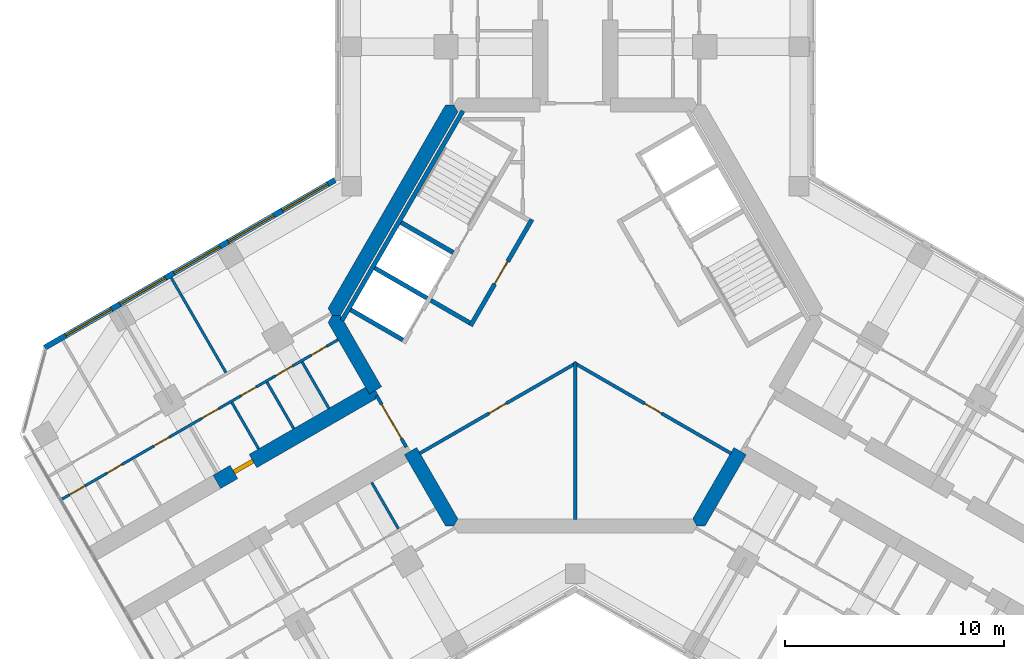
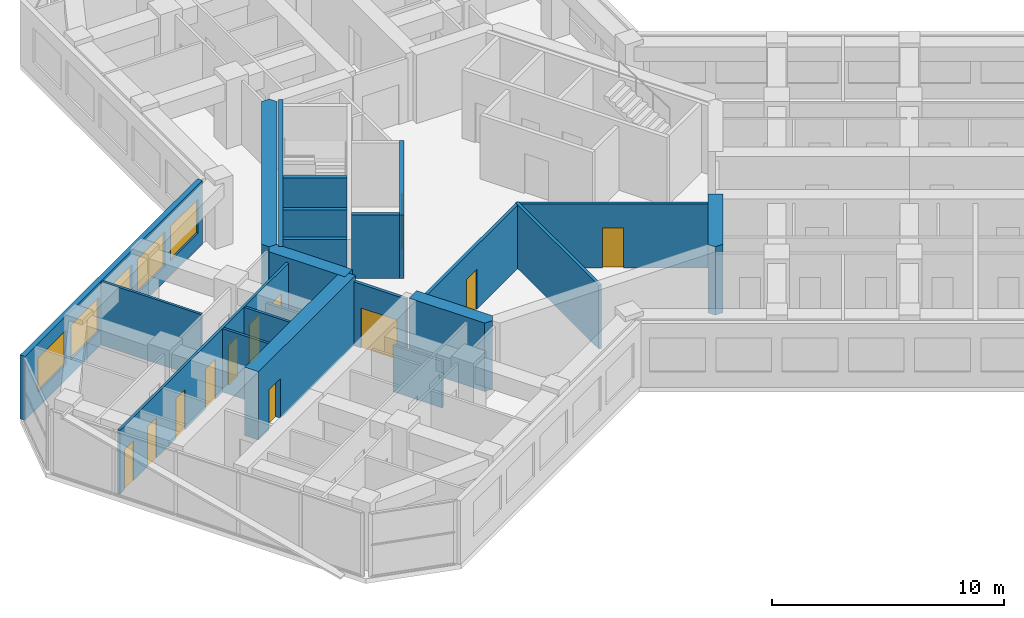
# One storey, part 9 of 16: 22 walls, 12 doors, 5 windows, 17 openings.
"""IFC4 building model written with IfcOpenShell, lengths in metres."""

from ifc_helpers import new_model, si_unit, direction, frame, frame_2d, origin, place, context, subcontext, project, spatial, polyline, rectangle, outline, extrude, material, layer, layer_set, type_object, element, fill, save


model = new_model("IFC4")

# Units and contexts
model_context = context("Model", 3, precision=1e-05, world=origin(), true_north=direction((0.0, 1.0)))
body_context = subcontext(model_context, "Body", "Model", "MODEL_VIEW")
ifc_project = project(units=[si_unit("LENGTHUNIT", "METRE"), si_unit("AREAUNIT", "SQUARE_METRE"), si_unit("VOLUMEUNIT", "CUBIC_METRE"), si_unit("PLANEANGLEUNIT", "RADIAN"), si_unit("MASSUNIT", "GRAM", prefix="KILO")], contexts=[model_context])

# Site, building, storey
site_placement = place(None, origin())
site = spatial("IfcSite", under=ifc_project, at=site_placement, CompositionType="ELEMENT")
building_placement = place(site_placement, origin())
building = spatial("IfcBuilding", under=site, at=building_placement, Name="Kosmar Iwan School Tower", CompositionType="ELEMENT")
storey_placement = place(building_placement, frame((0.0, 0.0, 211.800048828125)))
storey = spatial("IfcBuildingStorey", under=building, at=storey_placement, Name="L53", CompositionType="ELEMENT", Elevation=211.800048828125)

# Wall
ifc_material_1 = material(Name="Gypsum board on steel studs, fire-rated", Category="steel")
ifc_layer_1 = layer(ifc_material_1, 0.14990234375)
ifc_layer_set_1 = layer_set([ifc_layer_1], Name="Core room partition 150")
wall_type_1 = type_object("IfcWallType", Name="Core room partition 150", PredefinedType="PARTITIONING", material=ifc_layer_set_1)
wall_1_placement = place(storey_placement, frame((0.0, -9.294921875, 0.0), z_axis=(0.0, 0.0, 1.0), x_axis=(0.0, 1.0, 0.0)))
element("IfcWall", 1, at=wall_1_placement, inside=storey, type_object=wall_type_1, Name="Core room partition L53-CW5", PredefinedType="PARTITIONING", context=body_context, shape_type="SweptSolid", body=[
    extrude(rectangle(XDim=7.176025390625, YDim=0.14990234375, at=frame_2d((3.587890625, 0.0))), origin(), (0.0, 0.0, 1.0), 3.349853515625),
])

# Wall, opening, door
wall_2_placement = place(storey_placement, frame((-0.06494140625, -2.156494140625, 0.0), z_axis=(0.0, 0.0, 1.0), x_axis=(0.866024394272, -0.500001748523, 0.0)))
wall_2 = element("IfcWall", 2, at=wall_2_placement, inside=storey, type_object=wall_type_1, Name="Core room partition L53-CW6", PredefinedType="PARTITIONING", context=body_context, shape_type="SweptSolid", body=[
    extrude(rectangle(XDim=8.27294921875, YDim=0.14990234375, at=frame_2d((4.136474609375, 0.0))), origin(), (0.0, 0.0, 1.0), 3.349853515625),
])
opening_1_placement = place(wall_2_placement, frame((3.721923828125, 0.0, 0.0)))
opening_1 = element("IfcOpeningElement", 3, at=opening_1_placement, cuts=wall_2, Name="Opening D14", PredefinedType="OPENING", context=body_context, shape_type="SweptSolid", body=[
    extrude(rectangle(XDim=0.89990234375, YDim=2.10009765625, at=frame_2d((0.449951171875, 1.050048828125))), frame((0.0, 0.0869140625, 0.0), z_axis=(0.0, -1.0, 0.0), x_axis=(1.0, 0.0, 0.0)), (0.0, 0.0, 1.0), 0.173828125),
])
ifc_material_2 = material(Name="Timber fire door in steel frame", Category="steel")
door_type_1 = type_object("IfcDoorType", Name="Core room door 900x2100", OperationType="SINGLE_SWING_LEFT", PredefinedType="DOOR", material=ifc_material_2)
door_1_placement = place(opening_1_placement, origin())
door_1 = element("IfcDoor", 4, at=door_1_placement, inside=storey, type_object=door_type_1, Name="Residents' laundry room door L53 3", OperationType="SINGLE_SWING_RIGHT", OverallHeight=2.10009765625, OverallWidth=0.89990234375, PredefinedType="DOOR", context=body_context, shape_type="SweptSolid", body=[
    extrude(rectangle(XDim=0.89990234375, YDim=2.10009765625, at=frame_2d((0.449951171875, 1.050048828125))), frame((0.0, 0.02490234375, 0.0), z_axis=(0.0, -1.0, 0.0), x_axis=(1.0, 0.0, 0.0)), (0.0, 0.0, 1.0), 0.050048828125),
])
fill(opening_1, door_1)

wall_3_placement = place(storey_placement, frame((-7.099609375, -6.29296875, 0.0), z_axis=(0.0, 0.0, 1.0), x_axis=(0.866024394272, 0.500001748523, 0.0)))
wall_3 = element("IfcWall", 5, at=wall_3_placement, inside=storey, type_object=wall_type_1, Name="Core room partition L53-CW7", PredefinedType="PARTITIONING", context=body_context, shape_type="SweptSolid", body=[
    extrude(rectangle(XDim=8.27294921875, YDim=0.14990234375, at=frame_2d((4.136474609375, 0.0))), origin(), (0.0, 0.0, 1.0), 3.349853515625),
])
opening_2_placement = place(wall_3_placement, frame((3.652099609375, 0.0, 0.0)))
opening_2 = element("IfcOpeningElement", 6, at=opening_2_placement, cuts=wall_3, Name="Opening D14", PredefinedType="OPENING", context=body_context, shape_type="SweptSolid", body=[
    extrude(rectangle(XDim=0.89990234375, YDim=2.10009765625, at=frame_2d((0.449951171875, 1.050048828125))), frame((0.0, 0.0869140625, 0.0), z_axis=(0.0, -1.0, 0.0), x_axis=(1.0, 0.0, 0.0)), (0.0, 0.0, 1.0), 0.173828125),
])
door_2_placement = place(opening_2_placement, origin())
door_2 = element("IfcDoor", 7, at=door_2_placement, inside=storey, type_object=door_type_1, Name="Parcel room door L53 4", OperationType="SINGLE_SWING_LEFT", OverallHeight=2.10009765625, OverallWidth=0.89990234375, PredefinedType="DOOR", context=body_context, shape_type="SweptSolid", body=[
    extrude(rectangle(XDim=0.89990234375, YDim=2.10009765625, at=frame_2d((0.449951171875, 1.050048828125))), frame((0.0, 0.02490234375, 0.0), z_axis=(0.0, -1.0, 0.0), x_axis=(1.0, 0.0, 0.0)), (0.0, 0.0, 1.0), 0.050048828125),
])
fill(opening_2, door_2)

# Walls
ifc_material_3 = material(Name="Concrete C50/60", Category="concrete")
ifc_layer_2 = layer(ifc_material_3, 0.64990234375)
ifc_layer_set_2 = layer_set([ifc_layer_2], Name="Core wall 650")
wall_type_2 = type_object("IfcWallType", Name="Core wall 650", PredefinedType="SHEAR", material=ifc_layer_set_2)
wall_4_placement = place(storey_placement, origin())
element("IfcWall", 8, at=wall_4_placement, inside=storey, type_object=wall_type_2, Name="Core wall F150", PredefinedType="SHEAR", context=body_context, shape_type="SweptSolid", body=[
    extrude(outline(polyline([(-11.085205078125, 0.0), (-10.7099609375, 0.0), (-5.35498046875, 9.27490234375), (-5.54248046875, 9.60009765625), (-5.917724609375, 9.60009765625), (-11.272705078125, 0.324951171875), (-11.085205078125, 0.0)])), origin(), (0.0, 0.0, 1.0), 3.599853515625),
])
wall_5_placement = place(storey_placement, origin())
element("IfcWall", 9, at=wall_5_placement, inside=storey, type_object=wall_type_2, Name="Core wall F210a", PredefinedType="SHEAR", context=body_context, shape_type="SweptSolid", body=[
    extrude(outline(polyline([(-9.395263671875, -3.576904296875), (-8.832275390625, -3.251953125), (-10.7099609375, 0.0), (-11.085205078125, 0.0), (-11.272705078125, -0.324951171875), (-9.395263671875, -3.576904296875)])), origin(), (0.0, 0.0, 1.0), 3.599853515625),
])
wall_6_placement = place(storey_placement, origin())
element("IfcWall", 10, at=wall_6_placement, inside=storey, type_object=wall_type_2, Name="Core wall F210b", PredefinedType="SHEAR", context=body_context, shape_type="SweptSolid", body=[
    extrude(outline(polyline([(-5.917724609375, -9.60009765625), (-5.54248046875, -9.60009765625), (-5.35498046875, -9.27490234375), (-7.232421875, -6.023193359375), (-7.79541015625, -6.34814453125), (-5.917724609375, -9.60009765625)])), origin(), (0.0, 0.0, 1.0), 3.599853515625),
])
wall_7_placement = place(storey_placement, origin())
element("IfcWall", 11, at=wall_7_placement, inside=storey, type_object=wall_type_2, Name="Core wall F330a", PredefinedType="SHEAR", context=body_context, shape_type="SweptSolid", body=[
    extrude(outline(polyline([(5.54248046875, -9.60009765625), (5.917724609375, -9.60009765625), (7.79541015625, -6.34814453125), (7.232421875, -6.023193359375), (5.35498046875, -9.27490234375), (5.54248046875, -9.60009765625)])), origin(), (0.0, 0.0, 1.0), 3.599853515625),
])

# Wall, opening, door
ifc_material_4 = material(Name="Concrete C50/60", Category="concrete")
ifc_layer_3 = layer(ifc_material_4, 0.699951171875)
ifc_layer_set_3 = layer_set([ifc_layer_3], Name="Corridor buttress wall 700")
wall_type_3 = type_object("IfcWallType", Name="Corridor buttress wall 700", PredefinedType="SHEAR", material=ifc_layer_set_3)
wall_8_placement = place(storey_placement, frame((-9.11376953125, -3.414306640625, 0.0), z_axis=(0.0, 0.0, 1.0), x_axis=(-0.866026859388, -0.499997478812, 0.0)))
wall_8 = element("IfcWall", 12, at=wall_8_placement, inside=storey, type_object=wall_type_3, Name="Corridor wall BR", PredefinedType="SHEAR", context=body_context, shape_type="SweptSolid", body=[
    extrude(rectangle(XDim=8.35009765625, YDim=0.699951171875, at=frame_2d((4.175048828125, 0.0))), origin(), (0.0, 0.0, 1.0), 3.599853515625),
])
opening_3_placement = place(wall_8_placement, frame((6.449951171875, 0.0, 0.0)))
opening_3 = element("IfcOpeningElement", 13, at=opening_3_placement, cuts=wall_8, Name="Opening D1", PredefinedType="OPENING", context=body_context, shape_type="SweptSolid", body=[
    extrude(rectangle(XDim=1.0, YDim=2.10009765625, at=frame_2d((0.5, 1.050048828125))), frame((0.0, 0.362060546875, 0.0), z_axis=(0.0, -1.0, 0.0), x_axis=(1.0, 0.0, 0.0)), (0.0, 0.0, 1.0), 0.723876953125),
])
ifc_material_5 = material(Name="Timber fire door in steel frame", Category="steel")
door_type_2 = type_object("IfcDoorType", Name="Flat entrance door 1000x2100", OperationType="SINGLE_SWING_LEFT", PredefinedType="DOOR", material=ifc_material_5)
door_3_placement = place(opening_3_placement, origin())
door_3 = element("IfcDoor", 14, at=door_3_placement, inside=storey, type_object=door_type_2, Name="Flat L53-BR1 entrance door", OperationType="SINGLE_SWING_RIGHT", OverallHeight=2.10009765625, OverallWidth=1.0, PredefinedType="DOOR", context=body_context, shape_type="SweptSolid", body=[
    extrude(rectangle(XDim=1.0, YDim=2.10009765625, at=frame_2d((0.5, 1.050048828125))), frame((0.0, 0.10009765625, 0.0), z_axis=(0.0, -1.0, 0.0), x_axis=(1.0, 0.0, 0.0)), (0.0, 0.0, 1.0), 0.199951171875),
])
fill(opening_3, door_3)

ifc_material_6 = material(Name="Steel framed glazed screen", Category="steel")
ifc_layer_4 = layer(ifc_material_6, 0.14990234375)
ifc_layer_set_4 = layer_set([ifc_layer_4], Name="Corridor screen wall 150")
wall_type_4 = type_object("IfcWallType", Name="Corridor screen wall 150", PredefinedType="PARTITIONING", material=ifc_layer_set_4)
wall_9_placement = place(storey_placement, frame((-9.0537109375, -3.66845703125, 0.0), z_axis=(0.0, 0.0, 1.0), x_axis=(0.499980770555, -0.866036505625, 0.0)))
wall_9 = element("IfcWall", 15, at=wall_9_placement, inside=storey, type_object=wall_type_4, Name="Corridor screen B L53", PredefinedType="PARTITIONING", context=body_context, shape_type="SweptSolid", body=[
    extrude(rectangle(XDim=2.69970703125, YDim=0.14990234375, at=frame_2d((1.349853515625, 0.0))), origin(), (0.0, 0.0, 1.0), 3.349853515625),
])
opening_4_placement = place(wall_9_placement, frame((0.449951171875, 0.0, 0.0)))
opening_4 = element("IfcOpeningElement", 16, at=opening_4_placement, cuts=wall_9, Name="Opening D9", PredefinedType="OPENING", context=body_context, shape_type="SweptSolid", body=[
    extrude(rectangle(XDim=1.800048828125, YDim=2.10009765625, at=frame_2d((0.89990234375, 1.050048828125))), frame((0.0, 0.0869140625, 0.0), z_axis=(0.0, -1.0, 0.0), x_axis=(1.0, 0.0, 0.0)), (0.0, 0.0, 1.0), 0.173828125),
])
ifc_material_7 = material(Name="Steel framed glazed smoke door", Category="steel")
door_type_3 = type_object("IfcDoorType", Name="Corridor smoke door pair 1800x2100", OperationType="DOUBLE_DOOR_DOUBLE_SWING", PredefinedType="DOOR", material=ifc_material_7)
door_4_placement = place(opening_4_placement, origin())
door_4 = element("IfcDoor", 17, at=door_4_placement, inside=storey, type_object=door_type_3, Name="Corridor doors B L53", OperationType="DOUBLE_DOOR_DOUBLE_SWING", OverallHeight=2.10009765625, OverallWidth=1.800048828125, PredefinedType="DOOR", context=body_context, shape_type="SweptSolid", body=[
    extrude(rectangle(XDim=1.800048828125, YDim=2.10009765625, at=frame_2d((0.89990234375, 1.050048828125))), frame((0.0, 0.02490234375, 0.0), z_axis=(0.0, -1.0, 0.0), x_axis=(1.0, 0.0, 0.0)), (0.0, 0.0, 1.0), 0.050048828125),
])
fill(opening_4, door_4)

# Wall
ifc_material_8 = material(Name="Gypsum board on steel studs", Category="steel")
ifc_layer_5 = layer(ifc_material_8, 0.1201171875)
ifc_layer_set_5 = layer_set([ifc_layer_5], Name="Dwelling partition 120")
wall_type_5 = type_object("IfcWallType", Name="Dwelling partition 120", PredefinedType="PARTITIONING", material=ifc_layer_set_5)
wall_10_placement = place(storey_placement, frame((-9.287353515625, -7.61376953125, 0.0), z_axis=(0.0, 0.0, 1.0), x_axis=(0.500002508028, -0.866023955769, 0.0)))
element("IfcWall", 18, at=wall_10_placement, inside=storey, type_object=wall_type_5, Name="Partition L53-BL1-Y1", PredefinedType="PARTITIONING", context=body_context, shape_type="SweptSolid", body=[
    extrude(rectangle(XDim=2.43994140625, YDim=0.1201171875, at=frame_2d((1.219970703125, 0.0))), origin(), (0.0, 0.0, 1.0), 2.449951171875),
])

# Wall, openings, doors
wall_11_placement = place(storey_placement, frame((-10.8203125, -1.108642578125, 0.0), z_axis=(0.0, 0.0, 1.0), x_axis=(-0.866025425371, -0.499999962611, 0.0)))
wall_11 = element("IfcWall", 19, at=wall_11_placement, inside=storey, type_object=wall_type_5, Name="Partition L53-BR1-W1", PredefinedType="PARTITIONING", context=body_context, shape_type="SweptSolid", body=[
    extrude(rectangle(XDim=14.52001953125, YDim=0.1201171875, at=frame_2d((7.260009765625, 0.0))), origin(), (0.0, 0.0, 1.0), 3.349853515625),
])
opening_5_placement = place(wall_11_placement, frame((0.60009765625, 0.0, 0.0)))
opening_5 = element("IfcOpeningElement", 20, at=opening_5_placement, cuts=wall_11, Name="Opening D3", PredefinedType="OPENING", context=body_context, shape_type="SweptSolid", body=[
    extrude(rectangle(XDim=0.800048828125, YDim=2.10009765625, at=frame_2d((0.39990234375, 1.050048828125))), frame((0.0, 0.072021484375, 0.0), z_axis=(0.0, -1.0, 0.0), x_axis=(1.0, 0.0, 0.0)), (0.0, 0.0, 1.0), 0.14404296875),
])
opening_6_placement = place(wall_11_placement, frame((2.39990234375, 0.0, 0.0)))
opening_6 = element("IfcOpeningElement", 21, at=opening_6_placement, cuts=wall_11, Name="Opening D2", PredefinedType="OPENING", context=body_context, shape_type="SweptSolid", body=[
    extrude(rectangle(XDim=0.89990234375, YDim=2.10009765625, at=frame_2d((0.449951171875, 1.050048828125))), frame((0.0, 0.072021484375, 0.0), z_axis=(0.0, -1.0, 0.0), x_axis=(1.0, 0.0, 0.0)), (0.0, 0.0, 1.0), 0.14404296875),
])
opening_7_placement = place(wall_11_placement, frame((4.300048828125, 0.0, 0.0)))
opening_7 = element("IfcOpeningElement", 22, at=opening_7_placement, cuts=wall_11, Name="Opening D3", PredefinedType="OPENING", context=body_context, shape_type="SweptSolid", body=[
    extrude(rectangle(XDim=0.800048828125, YDim=2.10009765625, at=frame_2d((0.39990234375, 1.050048828125))), frame((0.0, 0.072021484375, 0.0), z_axis=(0.0, -1.0, 0.0), x_axis=(1.0, 0.0, 0.0)), (0.0, 0.0, 1.0), 0.14404296875),
])
opening_8_placement = place(wall_11_placement, frame((6.27490234375, 0.0, 0.0)))
opening_8 = element("IfcOpeningElement", 23, at=opening_8_placement, cuts=wall_11, Name="Opening D2", PredefinedType="OPENING", context=body_context, shape_type="SweptSolid", body=[
    extrude(rectangle(XDim=0.89990234375, YDim=2.10009765625, at=frame_2d((0.449951171875, 1.050048828125))), frame((0.0, 0.072021484375, 0.0), z_axis=(0.0, -1.0, 0.0), x_axis=(1.0, 0.0, 0.0)), (0.0, 0.0, 1.0), 0.14404296875),
])
opening_9_placement = place(wall_11_placement, frame((8.903564453125, 0.0, 0.0)))
opening_9 = element("IfcOpeningElement", 24, at=opening_9_placement, cuts=wall_11, Name="Opening D3", PredefinedType="OPENING", context=body_context, shape_type="SweptSolid", body=[
    extrude(rectangle(XDim=0.800048828125, YDim=2.10009765625, at=frame_2d((0.39990234375, 1.050048828125))), frame((0.0, 0.072021484375, 0.0), z_axis=(0.0, -1.0, 0.0), x_axis=(1.0, 0.0, 0.0)), (0.0, 0.0, 1.0), 0.14404296875),
])
opening_10_placement = place(wall_11_placement, frame((11.367919921875, 0.0, 0.0)))
opening_10 = element("IfcOpeningElement", 25, at=opening_10_placement, cuts=wall_11, Name="Opening D3", PredefinedType="OPENING", context=body_context, shape_type="SweptSolid", body=[
    extrude(rectangle(XDim=0.800048828125, YDim=2.10009765625, at=frame_2d((0.39990234375, 1.050048828125))), frame((0.0, 0.072021484375, 0.0), z_axis=(0.0, -1.0, 0.0), x_axis=(1.0, 0.0, 0.0)), (0.0, 0.0, 1.0), 0.14404296875),
])
opening_11_placement = place(wall_11_placement, frame((13.33935546875, 0.0, 0.0)))
opening_11 = element("IfcOpeningElement", 26, at=opening_11_placement, cuts=wall_11, Name="Opening D3", PredefinedType="OPENING", context=body_context, shape_type="SweptSolid", body=[
    extrude(rectangle(XDim=0.800048828125, YDim=2.10009765625, at=frame_2d((0.39990234375, 1.050048828125))), frame((0.0, 0.072021484375, 0.0), z_axis=(0.0, -1.0, 0.0), x_axis=(1.0, 0.0, 0.0)), (0.0, 0.0, 1.0), 0.14404296875),
])
ifc_material_9 = material(Name="Timber door in timber frame", Category="wood")
door_type_4 = type_object("IfcDoorType", Name="Internal door 900x2100", OperationType="SINGLE_SWING_LEFT", PredefinedType="DOOR", material=ifc_material_9)
door_5_placement = place(opening_6_placement, origin())
door_5 = element("IfcDoor", 27, at=door_5_placement, inside=storey, type_object=door_type_4, Name="Pantry door L53-BR1-S2", OperationType="SINGLE_SWING_RIGHT", OverallHeight=2.10009765625, OverallWidth=0.89990234375, PredefinedType="DOOR", context=body_context, shape_type="SweptSolid", body=[
    extrude(rectangle(XDim=0.89990234375, YDim=2.10009765625, at=frame_2d((0.449951171875, 1.050048828125))), frame((0.0, 0.02490234375, 0.0), z_axis=(0.0, -1.0, 0.0), x_axis=(1.0, 0.0, 0.0)), (0.0, 0.0, 1.0), 0.050048828125),
])
fill(opening_6, door_5)
door_6_placement = place(opening_8_placement, origin())
door_6 = element("IfcDoor", 28, at=door_6_placement, inside=storey, type_object=door_type_4, Name="Entrance hall door L53-BR1-S4", OperationType="SINGLE_SWING_RIGHT", OverallHeight=2.10009765625, OverallWidth=0.89990234375, PredefinedType="DOOR", context=body_context, shape_type="SweptSolid", body=[
    extrude(rectangle(XDim=0.89990234375, YDim=2.10009765625, at=frame_2d((0.449951171875, 1.050048828125))), frame((0.0, 0.02490234375, 0.0), z_axis=(0.0, -1.0, 0.0), x_axis=(1.0, 0.0, 0.0)), (0.0, 0.0, 1.0), 0.050048828125),
])
fill(opening_8, door_6)
ifc_material_10 = material(Name="Timber door in timber frame", Category="wood")
door_type_5 = type_object("IfcDoorType", Name="Sanitary room door 800x2100", OperationType="SINGLE_SWING_LEFT", PredefinedType="DOOR", material=ifc_material_10)
door_7_placement = place(opening_5_placement, origin())
door_7 = element("IfcDoor", 29, at=door_7_placement, inside=storey, type_object=door_type_5, Name="Store door L53-BR1-S1", OperationType="SINGLE_SWING_LEFT", OverallHeight=2.10009765625, OverallWidth=0.800048828125, PredefinedType="DOOR", context=body_context, shape_type="SweptSolid", body=[
    extrude(rectangle(XDim=0.800048828125, YDim=2.10009765625, at=frame_2d((0.39990234375, 1.050048828125))), frame((0.0, 0.02490234375, 0.0), z_axis=(0.0, -1.0, 0.0), x_axis=(1.0, 0.0, 0.0)), (0.0, 0.0, 1.0), 0.050048828125),
])
fill(opening_5, door_7)
door_8_placement = place(opening_7_placement, origin())
door_8 = element("IfcDoor", 30, at=door_8_placement, inside=storey, type_object=door_type_5, Name="Grandparents' shower room door L53-BR1-S3", OperationType="SINGLE_SWING_LEFT", OverallHeight=2.10009765625, OverallWidth=0.800048828125, PredefinedType="DOOR", context=body_context, shape_type="SweptSolid", body=[
    extrude(rectangle(XDim=0.800048828125, YDim=2.10009765625, at=frame_2d((0.39990234375, 1.050048828125))), frame((0.0, 0.02490234375, 0.0), z_axis=(0.0, -1.0, 0.0), x_axis=(1.0, 0.0, 0.0)), (0.0, 0.0, 1.0), 0.050048828125),
])
fill(opening_7, door_8)
door_9_placement = place(opening_9_placement, origin())
door_9 = element("IfcDoor", 31, at=door_9_placement, inside=storey, type_object=door_type_5, Name="Bathroom door L53-BR1-S5", OperationType="SINGLE_SWING_LEFT", OverallHeight=2.10009765625, OverallWidth=0.800048828125, PredefinedType="DOOR", context=body_context, shape_type="SweptSolid", body=[
    extrude(rectangle(XDim=0.800048828125, YDim=2.10009765625, at=frame_2d((0.39990234375, 1.050048828125))), frame((0.0, 0.02490234375, 0.0), z_axis=(0.0, -1.0, 0.0), x_axis=(1.0, 0.0, 0.0)), (0.0, 0.0, 1.0), 0.050048828125),
])
fill(opening_9, door_9)
door_10_placement = place(opening_10_placement, origin())
door_10 = element("IfcDoor", 32, at=door_10_placement, inside=storey, type_object=door_type_5, Name="Shower room door L53-BR1-S6", OperationType="SINGLE_SWING_RIGHT", OverallHeight=2.10009765625, OverallWidth=0.800048828125, PredefinedType="DOOR", context=body_context, shape_type="SweptSolid", body=[
    extrude(rectangle(XDim=0.800048828125, YDim=2.10009765625, at=frame_2d((0.39990234375, 1.050048828125))), frame((0.0, 0.02490234375, 0.0), z_axis=(0.0, -1.0, 0.0), x_axis=(1.0, 0.0, 0.0)), (0.0, 0.0, 1.0), 0.050048828125),
])
fill(opening_10, door_10)
door_11_placement = place(opening_11_placement, origin())
door_11 = element("IfcDoor", 33, at=door_11_placement, inside=storey, type_object=door_type_5, Name="WC door L53-BR1-S7", OperationType="SINGLE_SWING_RIGHT", OverallHeight=2.10009765625, OverallWidth=0.800048828125, PredefinedType="DOOR", context=body_context, shape_type="SweptSolid", body=[
    extrude(rectangle(XDim=0.800048828125, YDim=2.10009765625, at=frame_2d((0.39990234375, 1.050048828125))), frame((0.0, 0.02490234375, 0.0), z_axis=(0.0, -1.0, 0.0), x_axis=(1.0, 0.0, 0.0)), (0.0, 0.0, 1.0), 0.050048828125),
])
fill(opening_11, door_11)

# Walls
wall_12_placement = place(storey_placement, frame((-15.931884765625, -2.60498046875, 0.0), z_axis=(0.0, 0.0, 1.0), x_axis=(-0.500011847778, 0.866018563358, 0.0)))
element("IfcWall", 34, at=wall_12_placement, inside=storey, type_object=wall_type_5, Name="Partition L53-BR1-X1", PredefinedType="PARTITIONING", context=body_context, shape_type="SweptSolid", body=[
    extrude(rectangle(XDim=4.990234375, YDim=0.1201171875, at=frame_2d((2.4951171875, 0.0))), origin(), (0.0, 0.0, 1.0), 3.349853515625),
])
wall_13_placement = place(storey_placement, frame((-11.2373046875, -4.236328125, 0.0), z_axis=(0.0, 0.0, 1.0), x_axis=(-0.500034220881, 0.866005645448, 0.0)))
element("IfcWall", 35, at=wall_13_placement, inside=storey, type_object=wall_type_5, Name="Partition L53-BR1-Y1", PredefinedType="PARTITIONING", context=body_context, shape_type="SweptSolid", body=[
    extrude(rectangle(XDim=2.440185546875, YDim=0.1201171875, at=frame_2d((1.22021484375, 0.0))), origin(), (0.0, 0.0, 1.0), 2.449951171875),
])
wall_14_placement = place(storey_placement, frame((-12.839599609375, -5.161376953125, 0.0), z_axis=(0.0, 0.0, 1.0), x_axis=(-0.499959183527, 0.866048967903, 0.0)))
element("IfcWall", 36, at=wall_14_placement, inside=storey, type_object=wall_type_5, Name="Partition L53-BR1-Y2", PredefinedType="PARTITIONING", context=body_context, shape_type="SweptSolid", body=[
    extrude(rectangle(XDim=2.440185546875, YDim=0.1201171875, at=frame_2d((1.22021484375, 0.0))), origin(), (0.0, 0.0, 1.0), 3.349853515625),
])
wall_15_placement = place(storey_placement, frame((-14.441650390625, -6.086181640625, 0.0), z_axis=(0.0, 0.0, 1.0), x_axis=(-0.500002508028, 0.866023955769, 0.0)))
element("IfcWall", 37, at=wall_15_placement, inside=storey, type_object=wall_type_5, Name="Partition L53-BR1-Y3", PredefinedType="PARTITIONING", context=body_context, shape_type="SweptSolid", body=[
    extrude(rectangle(XDim=2.43994140625, YDim=0.1201171875, at=frame_2d((1.219970703125, 0.0))), origin(), (0.0, 0.0, 1.0), 3.349853515625),
])

# Wall, openings, windows
ifc_material_11 = material(Name="Black aluminium rainscreen on insulated framing", Category="aluminium")
ifc_layer_6 = layer(ifc_material_11, 0.25)
ifc_layer_set_6 = layer_set([ifc_layer_6], Name="External wall rainscreen 250")
wall_type_6 = type_object("IfcWallType", Name="External wall rainscreen 250", PredefinedType="SOLIDWALL", material=ifc_layer_set_6)
wall_16_placement = place(storey_placement, frame((-10.962890625, 6.170166015625, 0.0), z_axis=(0.0, 0.0, 1.0), x_axis=(-0.866025637253, -0.499999595621, 0.0)))
wall_16 = element("IfcWall", 38, at=wall_16_placement, inside=storey, type_object=wall_type_6, Name="External wall BR L53", PredefinedType="SOLIDWALL", context=body_context, shape_type="SweptSolid", body=[
    extrude(rectangle(XDim=15.2763671875, YDim=0.25, at=frame_2d((7.63818359375, 0.0))), origin(), (0.0, 0.0, 1.0), 3.349853515625),
])
opening_12_placement = place(wall_16_placement, frame((0.365966796875, 0.0, 0.800048828125)))
opening_12 = element("IfcOpeningElement", 39, at=opening_12_placement, cuts=wall_16, Name="Opening W5", PredefinedType="OPENING", context=body_context, shape_type="SweptSolid", body=[
    extrude(rectangle(XDim=2.39990234375, YDim=1.800048828125, at=frame_2d((1.199951171875, 0.89990234375))), frame((0.0, 0.136962890625, 0.0), z_axis=(0.0, -1.0, 0.0), x_axis=(1.0, 0.0, 0.0)), (0.0, 0.0, 1.0), 0.27392578125),
])
opening_13_placement = place(wall_16_placement, frame((3.216064453125, 0.0, 0.800048828125)))
opening_13 = element("IfcOpeningElement", 40, at=opening_13_placement, cuts=wall_16, Name="Opening W5", PredefinedType="OPENING", context=body_context, shape_type="SweptSolid", body=[
    extrude(rectangle(XDim=2.39990234375, YDim=1.800048828125, at=frame_2d((1.199951171875, 0.89990234375))), frame((0.0, 0.136962890625, 0.0), z_axis=(0.0, -1.0, 0.0), x_axis=(1.0, 0.0, 0.0)), (0.0, 0.0, 1.0), 0.27392578125),
])
opening_14_placement = place(wall_16_placement, frame((6.06591796875, 0.0, 0.800048828125)))
opening_14 = element("IfcOpeningElement", 41, at=opening_14_placement, cuts=wall_16, Name="Opening W5", PredefinedType="OPENING", context=body_context, shape_type="SweptSolid", body=[
    extrude(rectangle(XDim=2.39990234375, YDim=1.800048828125, at=frame_2d((1.199951171875, 0.89990234375))), frame((0.0, 0.136962890625, 0.0), z_axis=(0.0, -1.0, 0.0), x_axis=(1.0, 0.0, 0.0)), (0.0, 0.0, 1.0), 0.27392578125),
])
opening_15_placement = place(wall_16_placement, frame((8.916015625, 0.0, 0.800048828125)))
opening_15 = element("IfcOpeningElement", 42, at=opening_15_placement, cuts=wall_16, Name="Opening W5", PredefinedType="OPENING", context=body_context, shape_type="SweptSolid", body=[
    extrude(rectangle(XDim=2.39990234375, YDim=1.800048828125, at=frame_2d((1.199951171875, 0.89990234375))), frame((0.0, 0.136962890625, 0.0), z_axis=(0.0, -1.0, 0.0), x_axis=(1.0, 0.0, 0.0)), (0.0, 0.0, 1.0), 0.27392578125),
])
opening_16_placement = place(wall_16_placement, frame((11.76611328125, 0.0, 0.800048828125)))
opening_16 = element("IfcOpeningElement", 43, at=opening_16_placement, cuts=wall_16, Name="Opening W5", PredefinedType="OPENING", context=body_context, shape_type="SweptSolid", body=[
    extrude(rectangle(XDim=2.39990234375, YDim=1.800048828125, at=frame_2d((1.199951171875, 0.89990234375))), frame((0.0, 0.136962890625, 0.0), z_axis=(0.0, -1.0, 0.0), x_axis=(1.0, 0.0, 0.0)), (0.0, 0.0, 1.0), 0.27392578125),
])
ifc_material_12 = material(Name="Black aluminium frame with dark triple glazing", Category="aluminium")
window_type = type_object("IfcWindowType", Name="Window 2400x1800", PartitioningType="SINGLE_PANEL", PredefinedType="WINDOW", material=ifc_material_12)
window_1_placement = place(opening_12_placement, origin())
window_1 = element("IfcWindow", 44, at=window_1_placement, inside=storey, type_object=window_type, Name="Window BR L53 -1", OverallHeight=1.800048828125, OverallWidth=2.39990234375, PartitioningType="SINGLE_PANEL", PredefinedType="WINDOW", context=body_context, shape_type="SweptSolid", body=[
    extrude(rectangle(XDim=2.39990234375, YDim=1.800048828125, at=frame_2d((1.199951171875, 0.89990234375))), frame((0.0, 0.030029296875, 0.0), z_axis=(0.0, -1.0, 0.0), x_axis=(1.0, 0.0, 0.0)), (0.0, 0.0, 1.0), 0.06005859375),
])
fill(opening_12, window_1)
window_2_placement = place(opening_13_placement, origin())
window_2 = element("IfcWindow", 45, at=window_2_placement, inside=storey, type_object=window_type, Name="Window BR L53 0", OverallHeight=1.800048828125, OverallWidth=2.39990234375, PartitioningType="SINGLE_PANEL", PredefinedType="WINDOW", context=body_context, shape_type="SweptSolid", body=[
    extrude(rectangle(XDim=2.39990234375, YDim=1.800048828125, at=frame_2d((1.199951171875, 0.89990234375))), frame((0.0, 0.030029296875, 0.0), z_axis=(0.0, -1.0, 0.0), x_axis=(1.0, 0.0, 0.0)), (0.0, 0.0, 1.0), 0.06005859375),
])
fill(opening_13, window_2)
window_3_placement = place(opening_14_placement, origin())
window_3 = element("IfcWindow", 46, at=window_3_placement, inside=storey, type_object=window_type, Name="Window BR L53 1", OverallHeight=1.800048828125, OverallWidth=2.39990234375, PartitioningType="SINGLE_PANEL", PredefinedType="WINDOW", context=body_context, shape_type="SweptSolid", body=[
    extrude(rectangle(XDim=2.39990234375, YDim=1.800048828125, at=frame_2d((1.199951171875, 0.89990234375))), frame((0.0, 0.030029296875, 0.0), z_axis=(0.0, -1.0, 0.0), x_axis=(1.0, 0.0, 0.0)), (0.0, 0.0, 1.0), 0.06005859375),
])
fill(opening_14, window_3)
window_4_placement = place(opening_15_placement, origin())
window_4 = element("IfcWindow", 47, at=window_4_placement, inside=storey, type_object=window_type, Name="Window BR L53 2", OverallHeight=1.800048828125, OverallWidth=2.39990234375, PartitioningType="SINGLE_PANEL", PredefinedType="WINDOW", context=body_context, shape_type="SweptSolid", body=[
    extrude(rectangle(XDim=2.39990234375, YDim=1.800048828125, at=frame_2d((1.199951171875, 0.89990234375))), frame((0.0, 0.030029296875, 0.0), z_axis=(0.0, -1.0, 0.0), x_axis=(1.0, 0.0, 0.0)), (0.0, 0.0, 1.0), 0.06005859375),
])
fill(opening_15, window_4)
window_5_placement = place(opening_16_placement, origin())
window_5 = element("IfcWindow", 48, at=window_5_placement, inside=storey, type_object=window_type, Name="Window BR L53 3", OverallHeight=1.800048828125, OverallWidth=2.39990234375, PartitioningType="SINGLE_PANEL", PredefinedType="WINDOW", context=body_context, shape_type="SweptSolid", body=[
    extrude(rectangle(XDim=2.39990234375, YDim=1.800048828125, at=frame_2d((1.199951171875, 0.89990234375))), frame((0.0, 0.030029296875, 0.0), z_axis=(0.0, -1.0, 0.0), x_axis=(1.0, 0.0, 0.0)), (0.0, 0.0, 1.0), 0.06005859375),
])
fill(opening_16, window_5)

# Wall, opening, door
ifc_material_13 = material(Name="Concrete block masonry", Category="masonry")
ifc_layer_7 = layer(ifc_material_13, 0.199951171875)
ifc_layer_set_7 = layer_set([ifc_layer_7], Name="Fire lobby wall 200")
wall_type_7 = type_object("IfcWallType", Name="Fire lobby wall 200", PredefinedType="PARTITIONING", material=ifc_layer_set_7)
wall_17_placement = place(storey_placement, frame((-1.9775390625, 4.374755859375, 0.0), z_axis=(0.0, 0.0, 1.0), x_axis=(-0.500016814911, -0.866015695474, 0.0)))
wall_17 = element("IfcWall", 49, at=wall_17_placement, inside=storey, type_object=wall_type_7, Name="Firefighting lobby wall ST2", PredefinedType="PARTITIONING", context=body_context, shape_type="SweptSolid", body=[
    extrude(rectangle(XDim=5.599853515625, YDim=0.199951171875, at=frame_2d((2.7998046875, 0.0))), origin(), (0.0, 0.0, 1.0), 3.349853515625),
])
opening_17_placement = place(wall_17_placement, frame((2.199951171875, 0.0, 0.0)))
opening_17 = element("IfcOpeningElement", 50, at=opening_17_placement, cuts=wall_17, Name="Opening D7", PredefinedType="OPENING", context=body_context, shape_type="SweptSolid", body=[
    extrude(rectangle(XDim=1.199951171875, YDim=2.10009765625, at=frame_2d((0.60009765625, 1.050048828125))), frame((0.0, 0.112060546875, 0.0), z_axis=(0.0, -1.0, 0.0), x_axis=(1.0, 0.0, 0.0)), (0.0, 0.0, 1.0), 0.223876953125),
])
ifc_material_14 = material(Name="Steel fire door", Category="steel")
door_type_6 = type_object("IfcDoorType", Name="Fire lobby door 1200x2100", OperationType="SINGLE_SWING_LEFT", PredefinedType="DOOR", material=ifc_material_14)
door_12_placement = place(opening_17_placement, origin())
door_12 = element("IfcDoor", 51, at=door_12_placement, inside=storey, type_object=door_type_6, Name="Firefighting lobby door ST2 L53", OperationType="SINGLE_SWING_RIGHT", OverallHeight=2.10009765625, OverallWidth=1.199951171875, PredefinedType="DOOR", context=body_context, shape_type="SweptSolid", body=[
    extrude(rectangle(XDim=1.199951171875, YDim=2.10009765625, at=frame_2d((0.60009765625, 1.050048828125))), frame((0.0, 0.02490234375, 0.0), z_axis=(0.0, -1.0, 0.0), x_axis=(1.0, 0.0, 0.0)), (0.0, 0.0, 1.0), 0.050048828125),
])
fill(opening_17, door_12)

# Walls
wall_18_placement = place(storey_placement, frame((-4.814208984375, -0.33837890625, 0.0), z_axis=(0.0, 0.0, 1.0), x_axis=(-0.865969381856, 0.500097020274, 0.0)))
element("IfcWall", 52, at=wall_18_placement, inside=storey, type_object=wall_type_7, Name="Firefighting lobby wall ST2", PredefinedType="PARTITIONING", context=body_context, shape_type="SweptSolid", body=[
    extrude(rectangle(XDim=2.0498046875, YDim=0.199951171875, at=frame_2d((1.02490234375, 0.0))), origin(), (0.0, 0.0, 1.0), 3.349853515625),
])
ifc_material_15 = material(Name="Concrete C50/60", Category="concrete")
ifc_layer_8 = layer(ifc_material_15, 0.199951171875)
ifc_layer_set_8 = layer_set([ifc_layer_8], Name="Lift shaft wall 200")
wall_type_8 = type_object("IfcWallType", Name="Lift shaft wall 200", PredefinedType="SHEAR", material=ifc_layer_set_8)
wall_19_placement = place(storey_placement, frame((-5.1240234375, 9.324951171875, 0.0), z_axis=(0.0, 0.0, 1.0), x_axis=(-0.49999650507, -0.866027421574, 0.0)))
element("IfcWall", 53, at=wall_19_placement, inside=storey, type_object=wall_type_8, Name="Lift and stair back wall AB", PredefinedType="SHEAR", context=body_context, shape_type="SweptSolid", body=[
    extrude(rectangle(XDim=11.02734375, YDim=0.199951171875, at=frame_2d((5.513671875, 0.0))), origin(), (0.0, 0.0, 1.0), 3.599853515625),
])
for number, where, z_axis, x_axis, name in (
    (54, (-6.7626953125, 0.78662109375, 0.0), (0.0, 0.0, 1.0), (-0.866027397988, 0.499996545922, 0.0), "Lift shaft wall AB 1"),
    (55, (-7.862548828125, -1.118408203125, 0.0), (0.0, 0.0, 1.0), (-0.866027397988, 0.499996545922, 0.0), "Lift shaft wall AB 2"),
):
    element("IfcWall", number, at=place(storey_placement, frame(where, z_axis=z_axis, x_axis=x_axis)), inside=storey, type_object=wall_type_8, Name=name, PredefinedType="SHEAR", context=body_context, shape_type="SweptSolid", body=[
        extrude(rectangle(XDim=2.75, YDim=0.199951171875, at=frame_2d((1.375, 0.0))), origin(), (0.0, 0.0, 1.0), 3.599853515625),
    ])
ifc_material_16 = material(Name="Concrete C50/60", Category="concrete")
ifc_layer_9 = layer(ifc_material_16, 0.199951171875)
ifc_layer_set_9 = layer_set([ifc_layer_9], Name="Stair enclosure wall 200")
wall_type_9 = type_object("IfcWallType", Name="Stair enclosure wall 200", PredefinedType="SHEAR", material=ifc_layer_set_9)
wall_20_placement = place(storey_placement, frame((-5.562744140625, 2.865234375, 0.0), z_axis=(0.0, 0.0, 1.0), x_axis=(-0.866027397988, 0.499996545922, 0.0)))
element("IfcWall", 56, at=wall_20_placement, inside=storey, type_object=wall_type_9, Name="Stair ST2 wall", PredefinedType="SHEAR", context=body_context, shape_type="SweptSolid", body=[
    extrude(rectangle(XDim=2.75, YDim=0.199951171875, at=frame_2d((1.375, 0.0))), origin(), (0.0, 0.0, 1.0), 3.599853515625),
])

save(model, "model.ifc")
